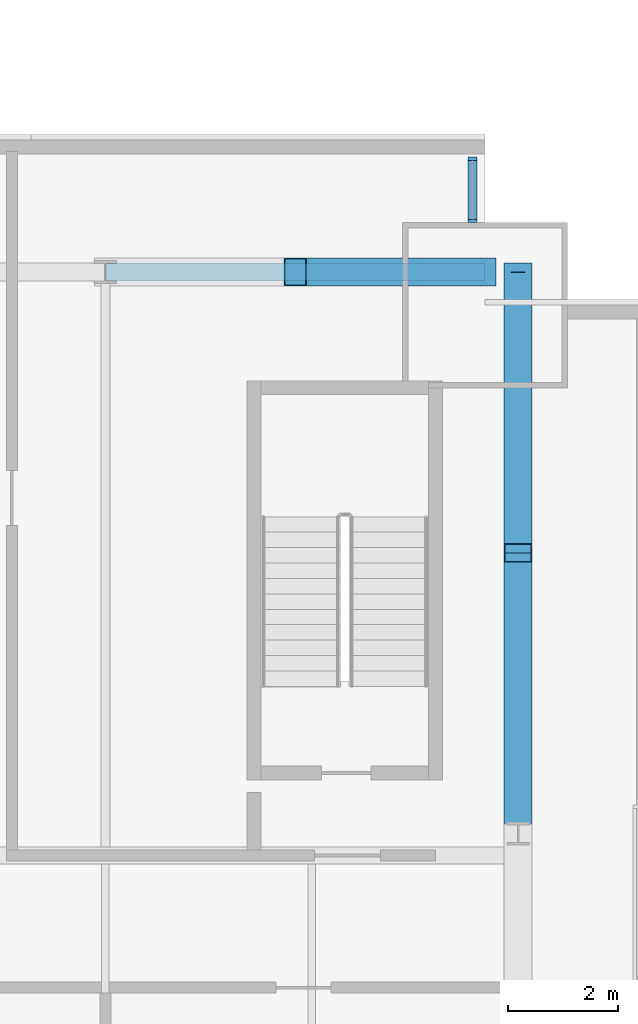
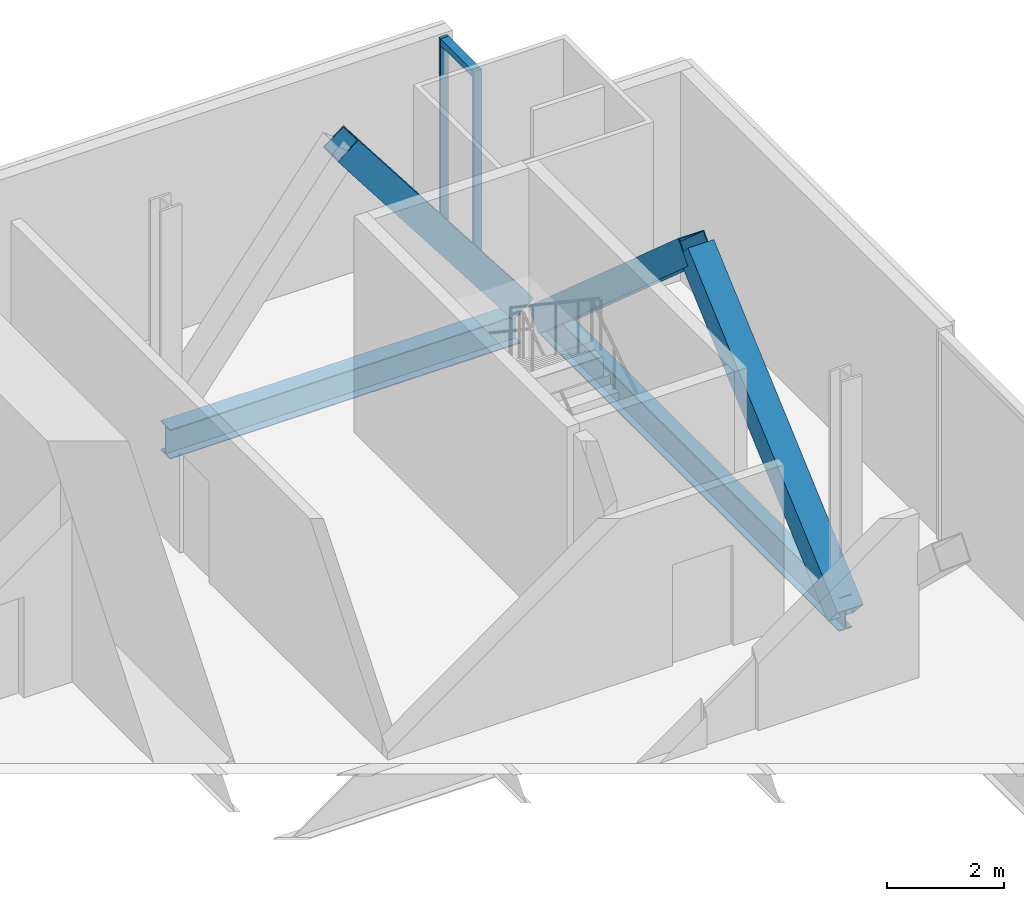
# One storey, part 13 of 21: 6 members, 2 beams, 1 element without a shape of its own.
"""IFC4 building model written with IfcOpenShell, lengths in metres."""

from ifc_helpers import new_model, si_unit, direction, frame, origin, origin_2d, place, context, subcontext, project, spatial, rectangle, hollow_rectangle, i_section, extrude, material, material_profile, profile_set, type_object, element, aggregate, save


model = new_model("IFC4")

# Units and contexts
model_context = context("Model", 3, precision=1e-05, world=origin(), true_north=direction((0.0, 1.0)))
body_context = subcontext(model_context, "Body", "Model", "MODEL_VIEW")
ifc_project = project(units=[si_unit("LENGTHUNIT", "METRE"), si_unit("AREAUNIT", "SQUARE_METRE"), si_unit("VOLUMEUNIT", "CUBIC_METRE"), si_unit("PLANEANGLEUNIT", "RADIAN"), si_unit("MASSUNIT", "GRAM", prefix="KILO")], contexts=[model_context])

# Site, building, storey
site_placement = place(None, origin())
site = spatial("IfcSite", under=ifc_project, at=site_placement, CompositionType="ELEMENT")
building_placement = place(site_placement, origin())
building = spatial("IfcBuilding", under=site, at=building_placement, Name="Bicima Exchange Tower", CompositionType="ELEMENT")
storey_placement = place(building_placement, frame((0.0, 0.0, 48.5)))
storey = spatial("IfcBuildingStorey", under=building, at=storey_placement, Name="L09", CompositionType="ELEMENT", Elevation=48.5)

# Beam
ifc_material_1 = material(Name="Steel ASTM A992 Gr 50", Category="steel")
ifc_material_profile_1 = material_profile(ifc_material_1, i_section(OverallWidth=0.256591796875, OverallDepth=0.693359375, WebThickness=0.014404296875, FlangeThickness=0.023681640625, at=origin_2d()))
ifc_profile_set_1 = profile_set([ifc_material_profile_1], Name="Steel ASTM A992 Gr 50")
beam_type_1 = type_object("IfcBeamType", Name="End girder W27x114", PredefinedType="BEAM", material=ifc_profile_set_1)
beam_1_placement = place(storey_placement, frame((33.60009765625, -2.39990234375, -0.49658203125), z_axis=(0.0, -1.0, 0.0), x_axis=(1.0, 0.0, 0.0)))
element("IfcBeam", 1, at=beam_1_placement, inside=storey, type_object=beam_type_1, Name="End girder", PredefinedType="BEAM", context=body_context, shape_type="SweptSolid", body=[
    extrude(i_section(OverallWidth=0.256591796875, OverallDepth=0.693359375, WebThickness=0.014404296875, FlangeThickness=0.023681640625, at=origin_2d()), origin(), (0.0, 0.0, 1.0), 10.2001953125),
])

# Curtain wall, members
ifc_material_2 = material(Name="Anodised bronze aluminium", Category="aluminium")
curtain_wall_type = type_object("IfcCurtainWallType", Name="Front glass wall", PredefinedType="NOTDEFINED", material=ifc_material_2)
curtain_wall_placement = place(storey_placement, origin())
curtain_wall = element("IfcCurtainWall", 2, at=curtain_wall_placement, inside=storey, type_object=curtain_wall_type, Name="Front glass wall L09 run 20", PredefinedType="NOTDEFINED")
ifc_material_profile_2 = material_profile(ifc_material_2, rectangle(XDim=0.159912109375, YDim=0.06005859375, at=origin_2d()))
ifc_profile_set_2 = profile_set([ifc_material_profile_2], Name="Anodised bronze aluminium")
member_type_1 = type_object("IfcMemberType", Name="Front glass wall mullion 60 x 160", PredefinedType="MULLION", material=ifc_profile_set_2)
member_1_placement = place(storey_placement, frame((32.77001953125, -1.469970703125, 0.0), z_axis=(0.0, 0.0, 1.0), x_axis=(-1.0, 0.0, 0.0)))
member_1 = element("IfcMember", 3, at=member_1_placement, type_object=member_type_1, Name="Front glass wall mullion 1", PredefinedType="MULLION", context=body_context, shape_type="SweptSolid", body=[
    extrude(rectangle(XDim=0.159912109375, YDim=0.06005859375, at=origin_2d()), origin(), (0.0, 0.0, 1.0), 4.35009765625),
])
member_2_placement = place(storey_placement, frame((32.77001953125, -0.340087890625, 0.0), z_axis=(0.0, 0.0, 1.0), x_axis=(-1.0, 0.0, 0.0)))
member_2 = element("IfcMember", 4, at=member_2_placement, type_object=member_type_1, Name="Front glass wall mullion 2", PredefinedType="MULLION", context=body_context, shape_type="SweptSolid", body=[
    extrude(rectangle(XDim=0.159912109375, YDim=0.06005859375, at=origin_2d()), origin(), (0.0, 0.0, 1.0), 4.35009765625),
])
ifc_material_profile_3 = material_profile(ifc_material_2, rectangle(XDim=0.159912109375, YDim=0.139892578125, at=origin_2d()))
ifc_profile_set_3 = profile_set([ifc_material_profile_3], Name="Anodised bronze aluminium")
member_type_2 = type_object("IfcMemberType", Name="Front glass wall transom 140 x 160", PredefinedType="USERDEFINED", material=ifc_profile_set_3)
member_3_placement = place(storey_placement, frame((32.77001953125, -1.43994140625, 4.280029296875), z_axis=(0.0, 1.0, 0.0), x_axis=(-1.0, 0.0, 0.0)))
member_3 = element("IfcMember", 5, at=member_3_placement, type_object=member_type_2, Name="Front glass wall transom 1.1", ObjectType="TRANSOM", PredefinedType="USERDEFINED", context=body_context, shape_type="SweptSolid", body=[
    extrude(rectangle(XDim=0.159912109375, YDim=0.139892578125, at=origin_2d()), origin(), (0.0, 0.0, 1.0), 1.06982421875),
])
aggregate(curtain_wall, [member_1, member_2, member_3])

# Members
ifc_material_3 = material(Name="Steel ASTM A572 Gr 50", Category="steel")
ifc_material_profile_4 = material_profile(ifc_material_3, hollow_rectangle(XDim=0.508056640625, YDim=0.508056640625, WallThickness=0.017822265625, at=origin_2d()))
ifc_profile_set_4 = profile_set([ifc_material_profile_4], Name="Steel ASTM A572 Gr 50")
member_type_3 = type_object("IfcMemberType", Name="Mega brace HSS20x20x3/4", PredefinedType="BRACE", material=ifc_profile_set_4)
member_4_placement = place(storey_placement, frame((33.0, -2.39990234375, 0.0), z_axis=(-0.608426120198, 0.0, 0.793610519248), x_axis=(0.0, -1.0, 0.0)))
element("IfcMember", 6, at=member_4_placement, inside=storey, type_object=member_type_3, Name="Mega brace rear", PredefinedType="BRACE", context=body_context, shape_type="SweptSolid", body=[
    extrude(hollow_rectangle(XDim=0.508056640625, YDim=0.508056640625, WallThickness=0.017822265625, at=origin_2d()), origin(), (0.0, 0.0, 1.0), 5.670166015625),
])
for number, where, z_axis, x_axis, name in (
    (7, (33.60009765625, -2.39990234375, -0.49658203125), (0.0, -0.749844140428, 0.661614513948), (1.0, 0.0, 0.0), "Mega brace east end"),
    (8, (33.60009765625, -12.60009765625, -0.49658203125), (0.0, 0.749844140428, 0.661614513948), (-1.0, 0.0, 0.0), "Mega brace east end"),
):
    element("IfcMember", number, at=place(storey_placement, frame(where, z_axis=z_axis, x_axis=x_axis)), inside=storey, type_object=member_type_3, Name=name, PredefinedType="BRACE", context=body_context, shape_type="SweptSolid", body=[
        extrude(hollow_rectangle(XDim=0.508056640625, YDim=0.508056640625, WallThickness=0.017822265625, at=origin_2d()), origin(), (0.0, 0.0, 1.0), 6.801513671875),
    ])

# Beam
ifc_material_profile_5 = material_profile(ifc_material_1, i_section(OverallWidth=0.3251953125, OverallDepth=0.612060546875, WebThickness=0.0126953125, FlangeThickness=0.01904296875, at=origin_2d()))
ifc_profile_set_5 = profile_set([ifc_material_profile_5], Name="Steel ASTM A992 Gr 50")
beam_type_2 = type_object("IfcBeamType", Name="Rear girder W24x104", PredefinedType="BEAM", material=ifc_profile_set_5)
beam_2_placement = place(storey_placement, frame((26.10009765625, -2.39990234375, -0.4560546875), z_axis=(1.0, 0.0, 0.0), x_axis=(0.0, 1.0, 0.0)))
element("IfcBeam", 9, at=beam_2_placement, inside=storey, type_object=beam_type_2, Name="Rear girder", PredefinedType="BEAM", context=body_context, shape_type="SweptSolid", body=[
    extrude(i_section(OverallWidth=0.3251953125, OverallDepth=0.612060546875, WebThickness=0.0126953125, FlangeThickness=0.01904296875, at=origin_2d()), origin(), (0.0, 0.0, 1.0), 6.89990234375),
])

save(model, "model.ifc")
